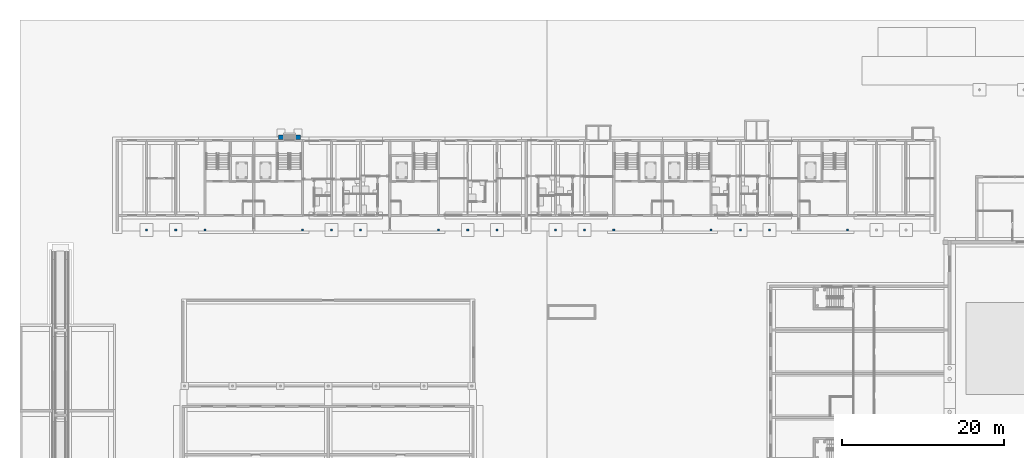
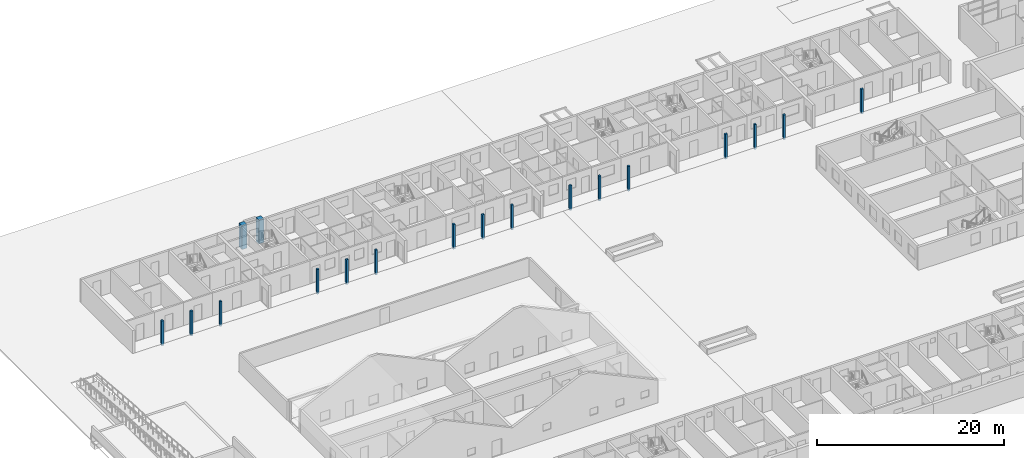
# One storey, part 10 of 112: 18 columns.
"""IFC4 building model written with IfcOpenShell, lengths in metres."""

from ifc_helpers import new_model, si_unit, direction, frame, origin, origin_2d, place, context, subcontext, project, spatial, rectangle, extrude, material, material_profile, profile_set, type_object, element, save


model = new_model("IFC4")

# Units and contexts
model_context = context("Model", 3, precision=1e-05, world=origin(), true_north=direction((0.0, 1.0)))
body_context = subcontext(model_context, "Body", "Model", "MODEL_VIEW")
ifc_project = project(units=[si_unit("LENGTHUNIT", "METRE"), si_unit("AREAUNIT", "SQUARE_METRE"), si_unit("VOLUMEUNIT", "CUBIC_METRE"), si_unit("PLANEANGLEUNIT", "RADIAN"), si_unit("MASSUNIT", "GRAM", prefix="KILO")], contexts=[model_context])

# Site, building, storey
site_placement = place(None, origin())
site = spatial("IfcSite", under=ifc_project, at=site_placement, CompositionType="ELEMENT")
building_placement = place(site_placement, origin())
building = spatial("IfcBuilding", under=site, at=building_placement, Name="Ridgestep Commons", CompositionType="ELEMENT")
storey_placement = place(building_placement, origin())
storey = spatial("IfcBuildingStorey", under=building, at=storey_placement, Name="L00", CompositionType="ELEMENT", Elevation=0.0)

# Columns
ifc_material_1 = material(Name="Precast concrete C40/50", Category="concrete")
ifc_material_profile_1 = material_profile(ifc_material_1, rectangle(XDim=0.25, YDim=0.25, at=origin_2d()), Name="PC 250x250")
ifc_profile_set_1 = profile_set([ifc_material_profile_1], Name="Precast concrete C40/50")
column_type_1 = type_object("IfcColumnType", Name="Loggia column 250 x 250", PredefinedType="COLUMN", material=ifc_profile_set_1)
for number, where, z_axis, x_axis, name in (
    (1, (15.60009765625, 66.125, -0.25), (0.0, 0.0, 1.0), (1.0, 0.0, 0.0), "Loggia column B L00"),
    (2, (19.199951171875, 66.125, -0.25), (0.0, 0.0, 1.0), (1.0, 0.0, 0.0), "Loggia column B L00"),
    (3, (22.800048828125, 66.125, -0.25), (0.0, 0.0, 1.0), (1.0, 0.0, 0.0), "Loggia column B L00"),
    (4, (34.800048828125, 66.125, -0.25), (0.0, 0.0, 1.0), (1.0, 0.0, 0.0), "Loggia column B L00"),
    (5, (38.39990234375, 66.125, -0.25), (0.0, 0.0, 1.0), (1.0, 0.0, 0.0), "Loggia column B L00"),
    (6, (42.0, 66.125, -0.25), (0.0, 0.0, 1.0), (1.0, 0.0, 0.0), "Loggia column B L00"),
    (7, (51.60009765625, 66.125, -0.25), (0.0, 0.0, 1.0), (1.0, 0.0, 0.0), "Loggia column B L00"),
    (8, (55.199951171875, 66.125, -0.25), (0.0, 0.0, 1.0), (1.0, 0.0, 0.0), "Loggia column B L00"),
    (9, (58.800048828125, 66.125, -0.25), (0.0, 0.0, 1.0), (1.0, 0.0, 0.0), "Loggia column B L00"),
    (10, (66.0, 66.125, -0.25), (0.0, 0.0, 1.0), (1.0, 0.0, 0.0), "Loggia column B L00"),
    (11, (69.60009765625, 66.125, -0.25), (0.0, 0.0, 1.0), (1.0, 0.0, 0.0), "Loggia column B L00"),
    (12, (73.199951171875, 66.125, -0.25), (0.0, 0.0, 1.0), (1.0, 0.0, 0.0), "Loggia column B L00"),
    (13, (85.199951171875, 66.125, -0.25), (0.0, 0.0, 1.0), (1.0, 0.0, 0.0), "Loggia column B L00"),
    (14, (88.800048828125, 66.125, -0.25), (0.0, 0.0, 1.0), (1.0, 0.0, 0.0), "Loggia column B L00"),
    (15, (92.39990234375, 66.125, -0.25), (0.0, 0.0, 1.0), (1.0, 0.0, 0.0), "Loggia column B L00"),
    (16, (102.0, 66.125, -0.25), (0.0, 0.0, 1.0), (1.0, 0.0, 0.0), "Loggia column B L00"),
):
    element("IfcColumn", number, at=place(storey_placement, frame(where, z_axis=z_axis, x_axis=x_axis)), inside=storey, type_object=column_type_1, Name=name, PredefinedType="COLUMN", context=body_context, shape_type="SweptSolid", body=[
        extrude(rectangle(XDim=0.25, YDim=0.25, at=origin_2d()), origin(), (0.0, 0.0, 1.0), 3.25),
    ])
ifc_material_2 = material(Name="Precast concrete C40/50", Category="concrete")
ifc_material_profile_2 = material_profile(ifc_material_2, rectangle(XDim=0.60009765625, YDim=0.60009765625, at=origin_2d()), Name="PC 600x600")
ifc_profile_set_2 = profile_set([ifc_material_profile_2], Name="Precast concrete C40/50")
column_type_2 = type_object("IfcColumnType", Name="Portal pier 600 x 600", PredefinedType="COLUMN", material=ifc_profile_set_2)
for number, where, z_axis, x_axis, name in (
    (17, (32.175048828125, 77.550048828125, -0.25), (0.0, 0.0, 1.0), (1.0, 0.0, 0.0), "Portal pier B1"),
    (18, (34.27490234375, 77.550048828125, -0.25), (0.0, 0.0, 1.0), (1.0, 0.0, 0.0), "Portal pier B2"),
):
    element("IfcColumn", number, at=place(storey_placement, frame(where, z_axis=z_axis, x_axis=x_axis)), inside=storey, type_object=column_type_2, Name=name, PredefinedType="COLUMN", context=body_context, shape_type="SweptSolid", body=[
        extrude(rectangle(XDim=0.60009765625, YDim=0.60009765625, at=origin_2d()), origin(), (0.0, 0.0, 1.0), 3.14990234375),
    ])

save(model, "model.ifc")
